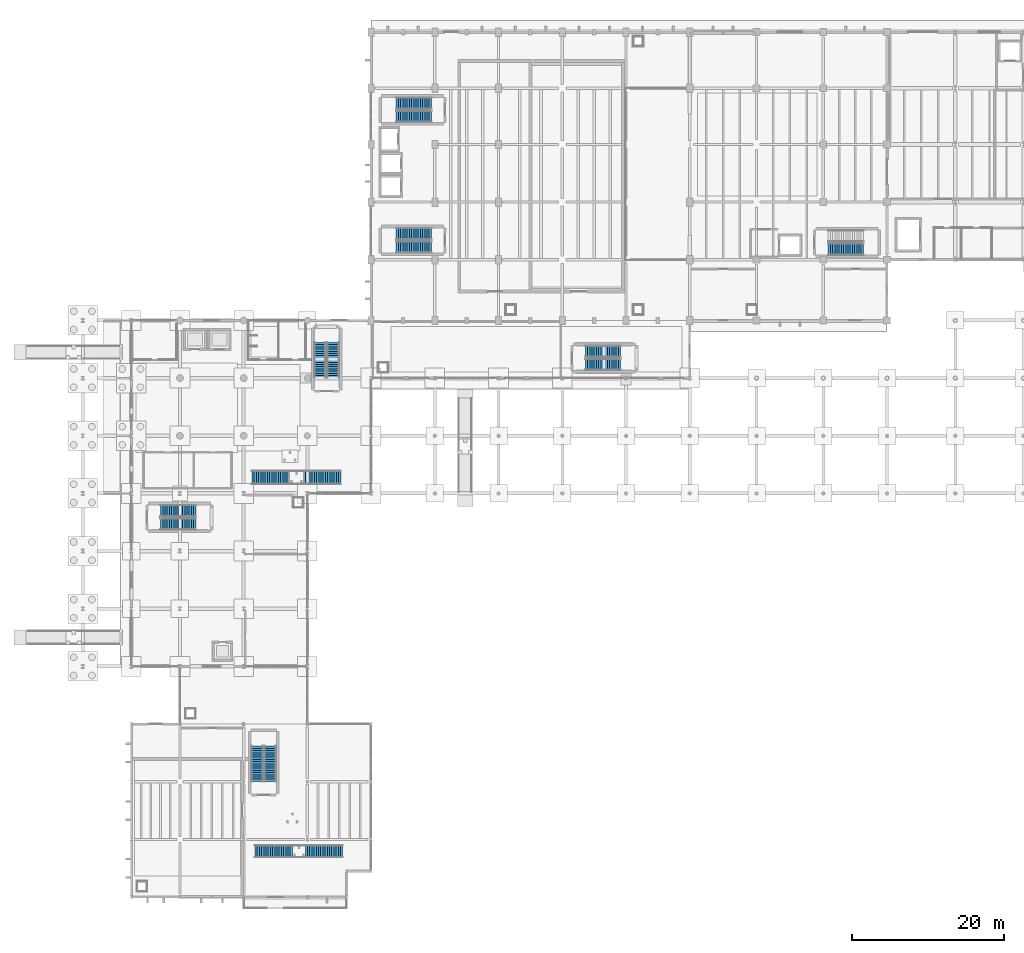
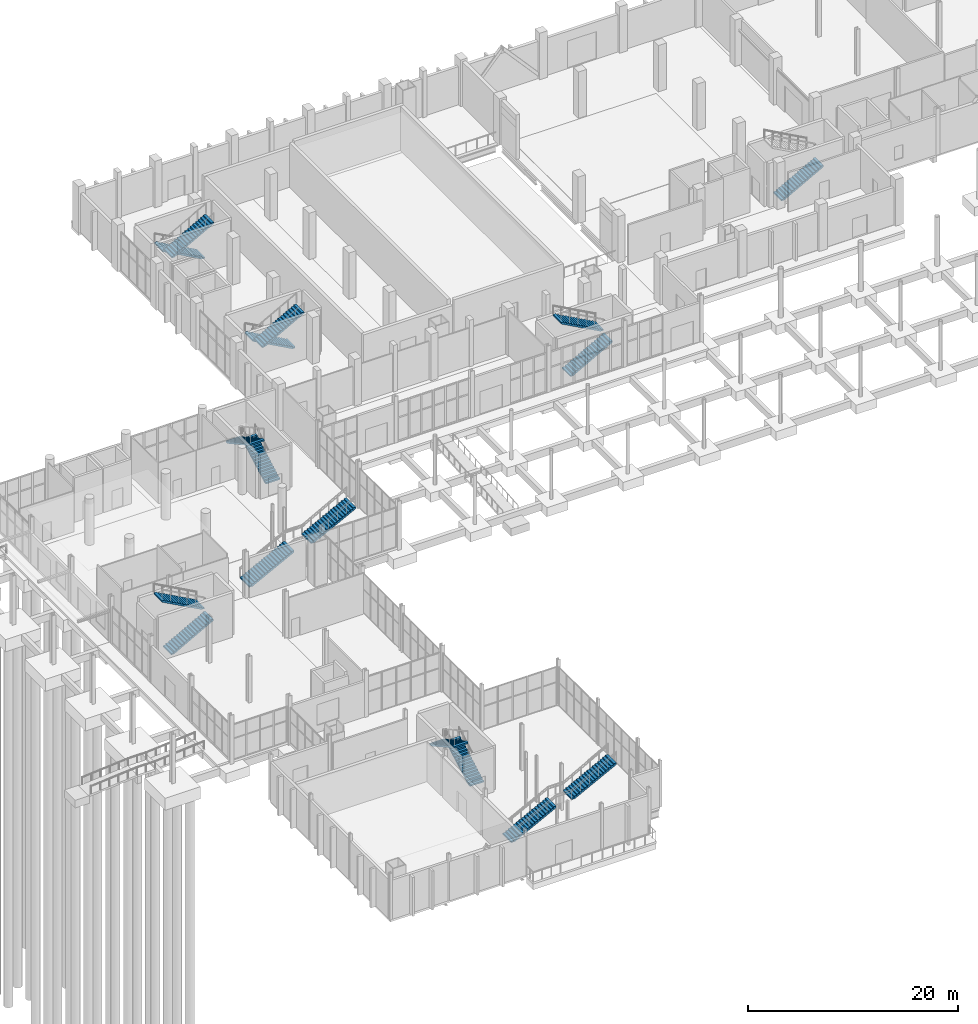
# One storey, part 81 of 95: 17 stair flights, 9 elements without a shape of their own.
"""IFC4 building model written with IfcOpenShell, lengths in metres."""

from ifc_helpers import new_model, si_unit, direction, frame, origin, place, context, subcontext, project, spatial, polyline, outline, extrude, material, layer, layer_set, type_object, element, aggregate, save


model = new_model("IFC4")

# Units and contexts
model_context = context("Model", 3, precision=1e-05, world=origin(), true_north=direction((0.0, 1.0)))
body_context = subcontext(model_context, "Body", "Model", "MODEL_VIEW")
ifc_project = project(units=[si_unit("LENGTHUNIT", "METRE"), si_unit("AREAUNIT", "SQUARE_METRE"), si_unit("VOLUMEUNIT", "CUBIC_METRE"), si_unit("PLANEANGLEUNIT", "RADIAN"), si_unit("MASSUNIT", "GRAM", prefix="KILO")], contexts=[model_context])

# Site, building, storey
site_placement = place(None, origin())
site = spatial("IfcSite", under=ifc_project, at=site_placement, CompositionType="ELEMENT")
building_placement = place(site_placement, origin())
building = spatial("IfcBuilding", under=site, at=building_placement, Name="Shengluoqiao Park Theatre", CompositionType="ELEMENT")
storey_placement = place(building_placement, origin())
storey = spatial("IfcBuildingStorey", under=building, at=storey_placement, Name="L00", CompositionType="ELEMENT", Elevation=0.0)

# Stair, stair flights
ifc_material_1 = material(Name="Concrete C40", Category="concrete")
stair_type_1 = type_object("IfcStairType", Name="INT-STR-CORE", PredefinedType="HALF_TURN_STAIR", material=ifc_material_1)
stair_1_placement = place(storey_placement, origin())
stair_1 = element("IfcStair", 1, at=stair_1_placement, inside=storey, type_object=stair_type_1, Name="L00 West Foyer Escape Stair 01", PredefinedType="HALF_TURN_STAIR")
ifc_layer_1 = layer(ifc_material_1, 0.159912109375, Name="Concrete C40")
ifc_layer_set_1 = layer_set([ifc_layer_1], Name="Concrete C40")
stair_flight_type_1 = type_object("IfcStairFlightType", Name="INT-SFL-156", PredefinedType="STRAIGHT", material=ifc_layer_set_1)
stair_flight_1_placement = place(storey_placement, frame((39.419921875, 68.449951171875, 0.0), z_axis=(0.0, 0.0, 1.0), x_axis=(0.0, 1.0, 0.0)))
stair_flight_1 = element("IfcStairFlight", 2, at=stair_flight_1_placement, type_object=stair_flight_type_1, Name="ST-01 flight 1", NumberOfRisers=17, NumberOfTreads=16, PredefinedType="STRAIGHT", RiserHeight=0.158823529, TreadLength=0.29, context=body_context, shape_type="SweptSolid", body=[
    extrude(outline(polyline([(0.0, 0.0), (0.0, 0.158935546875), (0.2900390625, 0.158935546875), (0.2900390625, 0.317626953125), (0.580078125, 0.317626953125), (0.580078125, 0.4765625), (0.8701171875, 0.4765625), (0.8701171875, 0.63525390625), (1.159912109375, 0.63525390625), (1.159912109375, 0.794189453125), (1.449951171875, 0.794189453125), (1.449951171875, 0.952880859375), (1.739990234375, 0.952880859375), (1.739990234375, 1.11181640625), (2.030029296875, 1.11181640625), (2.030029296875, 1.2705078125), (2.320068359375, 1.2705078125), (2.320068359375, 1.429443359375), (2.610107421875, 1.429443359375), (2.610107421875, 1.588134765625), (2.89990234375, 1.588134765625), (2.89990234375, 1.7470703125), (3.18994140625, 1.7470703125), (3.18994140625, 1.90576171875), (3.47998046875, 1.90576171875), (3.47998046875, 2.064697265625), (3.77001953125, 2.064697265625), (3.77001953125, 2.2236328125), (4.06005859375, 2.2236328125), (4.06005859375, 2.38232421875), (4.35009765625, 2.38232421875), (4.35009765625, 2.541259765625), (4.639892578125, 2.541259765625), (4.639892578125, 2.699951171875), (4.639892578125, 2.370361328125), (0.31201171875, 0.0), (0.0, 0.0)])), frame((0.0, 0.780029296875, 0.0), z_axis=(0.0, -1.0, 0.0), x_axis=(1.0, 0.0, 0.0)), (0.0, 0.0, 1.0), 1.56005859375),
])
stair_flight_2_placement = place(storey_placement, frame((37.679931640625, 73.090087890625, 2.699951171875), z_axis=(0.0, 0.0, 1.0), x_axis=(0.0, -1.0, 0.0)))
stair_flight_2 = element("IfcStairFlight", 3, at=stair_flight_2_placement, type_object=stair_flight_type_1, Name="ST-01 flight 2", NumberOfRisers=17, NumberOfTreads=16, PredefinedType="STRAIGHT", RiserHeight=0.158823529, TreadLength=0.29, context=body_context, shape_type="SweptSolid", body=[
    extrude(outline(polyline([(0.0, 0.0), (0.0, 0.158935546875), (0.2900390625, 0.158935546875), (0.2900390625, 0.317626953125), (0.580078125, 0.317626953125), (0.580078125, 0.4765625), (0.8701171875, 0.4765625), (0.8701171875, 0.63525390625), (1.159912109375, 0.63525390625), (1.159912109375, 0.794189453125), (1.449951171875, 0.794189453125), (1.449951171875, 0.952880859375), (1.739990234375, 0.952880859375), (1.739990234375, 1.11181640625), (2.030029296875, 1.11181640625), (2.030029296875, 1.2705078125), (2.320068359375, 1.2705078125), (2.320068359375, 1.429443359375), (2.610107421875, 1.429443359375), (2.610107421875, 1.588134765625), (2.89990234375, 1.588134765625), (2.89990234375, 1.7470703125), (3.18994140625, 1.7470703125), (3.18994140625, 1.90576171875), (3.47998046875, 1.90576171875), (3.47998046875, 2.064697265625), (3.77001953125, 2.064697265625), (3.77001953125, 2.2236328125), (4.06005859375, 2.2236328125), (4.06005859375, 2.38232421875), (4.35009765625, 2.38232421875), (4.35009765625, 2.541259765625), (4.639892578125, 2.541259765625), (4.639892578125, 2.699951171875), (4.639892578125, 2.370361328125), (0.31201171875, 0.0), (0.0, 0.0)])), frame((0.0, 0.780029296875, 0.0), z_axis=(0.0, -1.0, 0.0), x_axis=(1.0, 0.0, 0.0)), (0.0, 0.0, 1.0), 1.56005859375),
])
aggregate(stair_1, [stair_flight_1, stair_flight_2])

stair_2_placement = place(storey_placement, origin())
stair_2 = element("IfcStair", 4, at=stair_2_placement, inside=storey, type_object=stair_type_1, Name="L00 Auditorium South-West Escape Stair 02", PredefinedType="HALF_TURN_STAIR")
stair_flight_3_placement = place(storey_placement, frame((52.35009765625, 87.419921875, 0.0), z_axis=(0.0, 0.0, 1.0), x_axis=(-1.0, 0.0, 0.0)))
stair_flight_3 = element("IfcStairFlight", 5, at=stair_flight_3_placement, type_object=stair_flight_type_1, Name="ST-02 flight 1", NumberOfRisers=17, NumberOfTreads=16, PredefinedType="STRAIGHT", RiserHeight=0.158823529, TreadLength=0.29, context=body_context, shape_type="SweptSolid", body=[
    extrude(outline(polyline([(0.0, 0.0), (0.0, 0.158935546875), (0.2900390625, 0.158935546875), (0.2900390625, 0.317626953125), (0.580078125, 0.317626953125), (0.580078125, 0.4765625), (0.8701171875, 0.4765625), (0.8701171875, 0.63525390625), (1.159912109375, 0.63525390625), (1.159912109375, 0.794189453125), (1.449951171875, 0.794189453125), (1.449951171875, 0.952880859375), (1.739990234375, 0.952880859375), (1.739990234375, 1.11181640625), (2.030029296875, 1.11181640625), (2.030029296875, 1.2705078125), (2.320068359375, 1.2705078125), (2.320068359375, 1.429443359375), (2.610107421875, 1.429443359375), (2.610107421875, 1.588134765625), (2.89990234375, 1.588134765625), (2.89990234375, 1.7470703125), (3.18994140625, 1.7470703125), (3.18994140625, 1.90576171875), (3.47998046875, 1.90576171875), (3.47998046875, 2.064697265625), (3.77001953125, 2.064697265625), (3.77001953125, 2.2236328125), (4.06005859375, 2.2236328125), (4.06005859375, 2.38232421875), (4.35009765625, 2.38232421875), (4.35009765625, 2.541259765625), (4.639892578125, 2.541259765625), (4.639892578125, 2.699951171875), (4.639892578125, 2.370361328125), (0.31201171875, 0.0), (0.0, 0.0)])), frame((0.0, 0.780029296875, 0.0), z_axis=(0.0, -1.0, 0.0), x_axis=(1.0, 0.0, 0.0)), (0.0, 0.0, 1.0), 1.56005859375),
])
stair_flight_4_placement = place(storey_placement, frame((47.7099609375, 85.679931640625, 2.699951171875), z_axis=(0.0, 0.0, 1.0), x_axis=(1.0, 0.0, 0.0)))
stair_flight_4 = element("IfcStairFlight", 6, at=stair_flight_4_placement, type_object=stair_flight_type_1, Name="ST-02 flight 2", NumberOfRisers=17, NumberOfTreads=16, PredefinedType="STRAIGHT", RiserHeight=0.158823529, TreadLength=0.29, context=body_context, shape_type="SweptSolid", body=[
    extrude(outline(polyline([(0.0, 0.0), (0.0, 0.158935546875), (0.2900390625, 0.158935546875), (0.2900390625, 0.317626953125), (0.580078125, 0.317626953125), (0.580078125, 0.4765625), (0.8701171875, 0.4765625), (0.8701171875, 0.63525390625), (1.159912109375, 0.63525390625), (1.159912109375, 0.794189453125), (1.449951171875, 0.794189453125), (1.449951171875, 0.952880859375), (1.739990234375, 0.952880859375), (1.739990234375, 1.11181640625), (2.030029296875, 1.11181640625), (2.030029296875, 1.2705078125), (2.320068359375, 1.2705078125), (2.320068359375, 1.429443359375), (2.610107421875, 1.429443359375), (2.610107421875, 1.588134765625), (2.89990234375, 1.588134765625), (2.89990234375, 1.7470703125), (3.18994140625, 1.7470703125), (3.18994140625, 1.90576171875), (3.47998046875, 1.90576171875), (3.47998046875, 2.064697265625), (3.77001953125, 2.064697265625), (3.77001953125, 2.2236328125), (4.06005859375, 2.2236328125), (4.06005859375, 2.38232421875), (4.35009765625, 2.38232421875), (4.35009765625, 2.541259765625), (4.639892578125, 2.541259765625), (4.639892578125, 2.699951171875), (4.639892578125, 2.370361328125), (0.31201171875, 0.0), (0.0, 0.0)])), frame((0.0, 0.780029296875, 0.0), z_axis=(0.0, -1.0, 0.0), x_axis=(1.0, 0.0, 0.0)), (0.0, 0.0, 1.0), 1.56005859375),
])
aggregate(stair_2, [stair_flight_3, stair_flight_4])

stair_3_placement = place(storey_placement, origin())
stair_3 = element("IfcStair", 7, at=stair_3_placement, inside=storey, type_object=stair_type_1, Name="L00 Auditorium North-West Escape Stair 03", PredefinedType="HALF_TURN_STAIR")
stair_flight_5_placement = place(storey_placement, frame((52.35009765625, 104.6201171875, 0.0), z_axis=(0.0, 0.0, 1.0), x_axis=(-1.0, 0.0, 0.0)))
stair_flight_5 = element("IfcStairFlight", 8, at=stair_flight_5_placement, type_object=stair_flight_type_1, Name="ST-03 flight 1", NumberOfRisers=17, NumberOfTreads=16, PredefinedType="STRAIGHT", RiserHeight=0.158823529, TreadLength=0.29, context=body_context, shape_type="SweptSolid", body=[
    extrude(outline(polyline([(0.0, 0.0), (0.0, 0.158935546875), (0.2900390625, 0.158935546875), (0.2900390625, 0.317626953125), (0.580078125, 0.317626953125), (0.580078125, 0.4765625), (0.8701171875, 0.4765625), (0.8701171875, 0.63525390625), (1.159912109375, 0.63525390625), (1.159912109375, 0.794189453125), (1.449951171875, 0.794189453125), (1.449951171875, 0.952880859375), (1.739990234375, 0.952880859375), (1.739990234375, 1.11181640625), (2.030029296875, 1.11181640625), (2.030029296875, 1.2705078125), (2.320068359375, 1.2705078125), (2.320068359375, 1.429443359375), (2.610107421875, 1.429443359375), (2.610107421875, 1.588134765625), (2.89990234375, 1.588134765625), (2.89990234375, 1.7470703125), (3.18994140625, 1.7470703125), (3.18994140625, 1.90576171875), (3.47998046875, 1.90576171875), (3.47998046875, 2.064697265625), (3.77001953125, 2.064697265625), (3.77001953125, 2.2236328125), (4.06005859375, 2.2236328125), (4.06005859375, 2.38232421875), (4.35009765625, 2.38232421875), (4.35009765625, 2.541259765625), (4.639892578125, 2.541259765625), (4.639892578125, 2.699951171875), (4.639892578125, 2.370361328125), (0.31201171875, 0.0), (0.0, 0.0)])), frame((0.0, 0.780029296875, 0.0), z_axis=(0.0, -1.0, 0.0), x_axis=(1.0, 0.0, 0.0)), (0.0, 0.0, 1.0), 1.56005859375),
])
stair_flight_6_placement = place(storey_placement, frame((47.7099609375, 102.8798828125, 2.699951171875), z_axis=(0.0, 0.0, 1.0), x_axis=(1.0, 0.0, 0.0)))
stair_flight_6 = element("IfcStairFlight", 9, at=stair_flight_6_placement, type_object=stair_flight_type_1, Name="ST-03 flight 2", NumberOfRisers=17, NumberOfTreads=16, PredefinedType="STRAIGHT", RiserHeight=0.158823529, TreadLength=0.29, context=body_context, shape_type="SweptSolid", body=[
    extrude(outline(polyline([(0.0, 0.0), (0.0, 0.158935546875), (0.2900390625, 0.158935546875), (0.2900390625, 0.317626953125), (0.580078125, 0.317626953125), (0.580078125, 0.4765625), (0.8701171875, 0.4765625), (0.8701171875, 0.63525390625), (1.159912109375, 0.63525390625), (1.159912109375, 0.794189453125), (1.449951171875, 0.794189453125), (1.449951171875, 0.952880859375), (1.739990234375, 0.952880859375), (1.739990234375, 1.11181640625), (2.030029296875, 1.11181640625), (2.030029296875, 1.2705078125), (2.320068359375, 1.2705078125), (2.320068359375, 1.429443359375), (2.610107421875, 1.429443359375), (2.610107421875, 1.588134765625), (2.89990234375, 1.588134765625), (2.89990234375, 1.7470703125), (3.18994140625, 1.7470703125), (3.18994140625, 1.90576171875), (3.47998046875, 1.90576171875), (3.47998046875, 2.064697265625), (3.77001953125, 2.064697265625), (3.77001953125, 2.2236328125), (4.06005859375, 2.2236328125), (4.06005859375, 2.38232421875), (4.35009765625, 2.38232421875), (4.35009765625, 2.541259765625), (4.639892578125, 2.541259765625), (4.639892578125, 2.699951171875), (4.639892578125, 2.370361328125), (0.31201171875, 0.0), (0.0, 0.0)])), frame((0.0, 0.780029296875, 0.0), z_axis=(0.0, -1.0, 0.0), x_axis=(1.0, 0.0, 0.0)), (0.0, 0.0, 1.0), 1.56005859375),
])
aggregate(stair_3, [stair_flight_5, stair_flight_6])

stair_4_placement = place(storey_placement, origin())
stair_4 = element("IfcStair", 10, at=stair_4_placement, inside=storey, type_object=stair_type_1, Name="L00 Studio and Black-Box Escape Stair 04", PredefinedType="HALF_TURN_STAIR")
stair_flight_7_placement = place(storey_placement, frame((31.1201171875, 15.25, 0.0), z_axis=(0.0, 0.0, 1.0), x_axis=(0.0, 1.0, 0.0)))
stair_flight_7 = element("IfcStairFlight", 11, at=stair_flight_7_placement, type_object=stair_flight_type_1, Name="ST-04 flight 1", NumberOfRisers=17, NumberOfTreads=16, PredefinedType="STRAIGHT", RiserHeight=0.158823529, TreadLength=0.29, context=body_context, shape_type="SweptSolid", body=[
    extrude(outline(polyline([(0.0, 0.0), (0.0, 0.158935546875), (0.2900390625, 0.158935546875), (0.2900390625, 0.317626953125), (0.580078125, 0.317626953125), (0.580078125, 0.4765625), (0.8701171875, 0.4765625), (0.8701171875, 0.63525390625), (1.159912109375, 0.63525390625), (1.159912109375, 0.794189453125), (1.449951171875, 0.794189453125), (1.449951171875, 0.952880859375), (1.739990234375, 0.952880859375), (1.739990234375, 1.11181640625), (2.030029296875, 1.11181640625), (2.030029296875, 1.2705078125), (2.320068359375, 1.2705078125), (2.320068359375, 1.429443359375), (2.610107421875, 1.429443359375), (2.610107421875, 1.588134765625), (2.89990234375, 1.588134765625), (2.89990234375, 1.7470703125), (3.18994140625, 1.7470703125), (3.18994140625, 1.90576171875), (3.47998046875, 1.90576171875), (3.47998046875, 2.064697265625), (3.77001953125, 2.064697265625), (3.77001953125, 2.2236328125), (4.06005859375, 2.2236328125), (4.06005859375, 2.38232421875), (4.35009765625, 2.38232421875), (4.35009765625, 2.541259765625), (4.639892578125, 2.541259765625), (4.639892578125, 2.699951171875), (4.639892578125, 2.370361328125), (0.31201171875, 0.0), (0.0, 0.0)])), frame((0.0, 0.780029296875, 0.0), z_axis=(0.0, -1.0, 0.0), x_axis=(1.0, 0.0, 0.0)), (0.0, 0.0, 1.0), 1.56005859375),
])
stair_flight_8_placement = place(storey_placement, frame((29.3798828125, 19.889892578125, 2.699951171875), z_axis=(0.0, 0.0, 1.0), x_axis=(0.0, -1.0, 0.0)))
stair_flight_8 = element("IfcStairFlight", 12, at=stair_flight_8_placement, type_object=stair_flight_type_1, Name="ST-04 flight 2", NumberOfRisers=17, NumberOfTreads=16, PredefinedType="STRAIGHT", RiserHeight=0.158823529, TreadLength=0.29, context=body_context, shape_type="SweptSolid", body=[
    extrude(outline(polyline([(0.0, 0.0), (0.0, 0.158935546875), (0.2900390625, 0.158935546875), (0.2900390625, 0.317626953125), (0.580078125, 0.317626953125), (0.580078125, 0.4765625), (0.8701171875, 0.4765625), (0.8701171875, 0.63525390625), (1.159912109375, 0.63525390625), (1.159912109375, 0.794189453125), (1.449951171875, 0.794189453125), (1.449951171875, 0.952880859375), (1.739990234375, 0.952880859375), (1.739990234375, 1.11181640625), (2.030029296875, 1.11181640625), (2.030029296875, 1.2705078125), (2.320068359375, 1.2705078125), (2.320068359375, 1.429443359375), (2.610107421875, 1.429443359375), (2.610107421875, 1.588134765625), (2.89990234375, 1.588134765625), (2.89990234375, 1.7470703125), (3.18994140625, 1.7470703125), (3.18994140625, 1.90576171875), (3.47998046875, 1.90576171875), (3.47998046875, 2.064697265625), (3.77001953125, 2.064697265625), (3.77001953125, 2.2236328125), (4.06005859375, 2.2236328125), (4.06005859375, 2.38232421875), (4.35009765625, 2.38232421875), (4.35009765625, 2.541259765625), (4.639892578125, 2.541259765625), (4.639892578125, 2.699951171875), (4.639892578125, 2.370361328125), (0.31201171875, 0.0), (0.0, 0.0)])), frame((0.0, 0.780029296875, 0.0), z_axis=(0.0, -1.0, 0.0), x_axis=(1.0, 0.0, 0.0)), (0.0, 0.0, 1.0), 1.56005859375),
])
aggregate(stair_4, [stair_flight_7, stair_flight_8])

# Stair, stair flight
stair_5_placement = place(storey_placement, origin())
stair_5 = element("IfcStair", 13, at=stair_5_placement, inside=storey, type_object=stair_type_1, Name="L00 Stage and Fly Tower Escape Stair 05", PredefinedType="HALF_TURN_STAIR")
stair_flight_9_placement = place(storey_placement, frame((104.64990234375, 85.3798828125, 0.0), z_axis=(0.0, 0.0, 1.0), x_axis=(1.0, 0.0, 0.0)))
stair_flight_9 = element("IfcStairFlight", 14, at=stair_flight_9_placement, type_object=stair_flight_type_1, Name="ST-05 flight 1", NumberOfRisers=17, NumberOfTreads=16, PredefinedType="STRAIGHT", RiserHeight=0.158823529, TreadLength=0.29, context=body_context, shape_type="SweptSolid", body=[
    extrude(outline(polyline([(0.0, 0.0), (0.0, 0.158935546875), (0.2900390625, 0.158935546875), (0.2900390625, 0.317626953125), (0.580078125, 0.317626953125), (0.580078125, 0.4765625), (0.8701171875, 0.4765625), (0.8701171875, 0.63525390625), (1.159912109375, 0.63525390625), (1.159912109375, 0.794189453125), (1.449951171875, 0.794189453125), (1.449951171875, 0.952880859375), (1.739990234375, 0.952880859375), (1.739990234375, 1.11181640625), (2.030029296875, 1.11181640625), (2.030029296875, 1.2705078125), (2.320068359375, 1.2705078125), (2.320068359375, 1.429443359375), (2.610107421875, 1.429443359375), (2.610107421875, 1.588134765625), (2.89990234375, 1.588134765625), (2.89990234375, 1.7470703125), (3.18994140625, 1.7470703125), (3.18994140625, 1.90576171875), (3.47998046875, 1.90576171875), (3.47998046875, 2.064697265625), (3.77001953125, 2.064697265625), (3.77001953125, 2.2236328125), (4.06005859375, 2.2236328125), (4.06005859375, 2.38232421875), (4.35009765625, 2.38232421875), (4.35009765625, 2.541259765625), (4.639892578125, 2.541259765625), (4.639892578125, 2.699951171875), (4.639892578125, 2.370361328125), (0.31201171875, 0.0), (0.0, 0.0)])), frame((0.0, 0.780029296875, 0.0), z_axis=(0.0, -1.0, 0.0), x_axis=(1.0, 0.0, 0.0)), (0.0, 0.0, 1.0), 1.56005859375),
])
aggregate(stair_5, [stair_flight_9])

# Stair, stair flights
stair_6_placement = place(storey_placement, origin())
stair_6 = element("IfcStair", 15, at=stair_6_placement, inside=storey, type_object=stair_type_1, Name="L00 South Promenade Escape Stair 11", PredefinedType="HALF_TURN_STAIR")
stair_flight_10_placement = place(storey_placement, frame((72.64990234375, 70.179931640625, 0.0), z_axis=(0.0, 0.0, 1.0), x_axis=(1.0, 0.0, 0.0)))
stair_flight_10 = element("IfcStairFlight", 16, at=stair_flight_10_placement, type_object=stair_flight_type_1, Name="ST-11 flight 1", NumberOfRisers=17, NumberOfTreads=16, PredefinedType="STRAIGHT", RiserHeight=0.158823529, TreadLength=0.29, context=body_context, shape_type="SweptSolid", body=[
    extrude(outline(polyline([(0.0, 0.0), (0.0, 0.158935546875), (0.2900390625, 0.158935546875), (0.2900390625, 0.317626953125), (0.580078125, 0.317626953125), (0.580078125, 0.4765625), (0.8701171875, 0.4765625), (0.8701171875, 0.63525390625), (1.159912109375, 0.63525390625), (1.159912109375, 0.794189453125), (1.449951171875, 0.794189453125), (1.449951171875, 0.952880859375), (1.739990234375, 0.952880859375), (1.739990234375, 1.11181640625), (2.030029296875, 1.11181640625), (2.030029296875, 1.2705078125), (2.320068359375, 1.2705078125), (2.320068359375, 1.429443359375), (2.610107421875, 1.429443359375), (2.610107421875, 1.588134765625), (2.89990234375, 1.588134765625), (2.89990234375, 1.7470703125), (3.18994140625, 1.7470703125), (3.18994140625, 1.90576171875), (3.47998046875, 1.90576171875), (3.47998046875, 2.064697265625), (3.77001953125, 2.064697265625), (3.77001953125, 2.2236328125), (4.06005859375, 2.2236328125), (4.06005859375, 2.38232421875), (4.35009765625, 2.38232421875), (4.35009765625, 2.541259765625), (4.639892578125, 2.541259765625), (4.639892578125, 2.699951171875), (4.639892578125, 2.370361328125), (0.31201171875, 0.0), (0.0, 0.0)])), frame((0.0, 0.780029296875, 0.0), z_axis=(0.0, -1.0, 0.0), x_axis=(1.0, 0.0, 0.0)), (0.0, 0.0, 1.0), 1.56005859375),
])
stair_flight_11_placement = place(storey_placement, frame((77.2900390625, 71.919921875, 2.699951171875), z_axis=(0.0, 0.0, 1.0), x_axis=(-1.0, 0.0, 0.0)))
stair_flight_11 = element("IfcStairFlight", 17, at=stair_flight_11_placement, type_object=stair_flight_type_1, Name="ST-11 flight 2", NumberOfRisers=17, NumberOfTreads=16, PredefinedType="STRAIGHT", RiserHeight=0.158823529, TreadLength=0.29, context=body_context, shape_type="SweptSolid", body=[
    extrude(outline(polyline([(0.0, 0.0), (0.0, 0.158935546875), (0.2900390625, 0.158935546875), (0.2900390625, 0.317626953125), (0.580078125, 0.317626953125), (0.580078125, 0.4765625), (0.8701171875, 0.4765625), (0.8701171875, 0.63525390625), (1.159912109375, 0.63525390625), (1.159912109375, 0.794189453125), (1.449951171875, 0.794189453125), (1.449951171875, 0.952880859375), (1.739990234375, 0.952880859375), (1.739990234375, 1.11181640625), (2.030029296875, 1.11181640625), (2.030029296875, 1.2705078125), (2.320068359375, 1.2705078125), (2.320068359375, 1.429443359375), (2.610107421875, 1.429443359375), (2.610107421875, 1.588134765625), (2.89990234375, 1.588134765625), (2.89990234375, 1.7470703125), (3.18994140625, 1.7470703125), (3.18994140625, 1.90576171875), (3.47998046875, 1.90576171875), (3.47998046875, 2.064697265625), (3.77001953125, 2.064697265625), (3.77001953125, 2.2236328125), (4.06005859375, 2.2236328125), (4.06005859375, 2.38232421875), (4.35009765625, 2.38232421875), (4.35009765625, 2.541259765625), (4.639892578125, 2.541259765625), (4.639892578125, 2.699951171875), (4.639892578125, 2.370361328125), (0.31201171875, 0.0), (0.0, 0.0)])), frame((0.0, 0.780029296875, 0.0), z_axis=(0.0, -1.0, 0.0), x_axis=(1.0, 0.0, 0.0)), (0.0, 0.0, 1.0), 1.56005859375),
])
aggregate(stair_6, [stair_flight_10, stair_flight_11])

stair_7_placement = place(storey_placement, origin())
stair_7 = element("IfcStair", 18, at=stair_7_placement, inside=storey, type_object=stair_type_1, Name="L00 Studio Crystal North Escape Stair 13", PredefinedType="HALF_TURN_STAIR")
stair_flight_12_placement = place(storey_placement, frame((16.64990234375, 49.179931640625, 0.0), z_axis=(0.0, 0.0, 1.0), x_axis=(1.0, 0.0, 0.0)))
stair_flight_12 = element("IfcStairFlight", 19, at=stair_flight_12_placement, type_object=stair_flight_type_1, Name="ST-13 flight 1", NumberOfRisers=17, NumberOfTreads=16, PredefinedType="STRAIGHT", RiserHeight=0.158823529, TreadLength=0.29, context=body_context, shape_type="SweptSolid", body=[
    extrude(outline(polyline([(0.0, 0.0), (0.0, 0.158935546875), (0.2900390625, 0.158935546875), (0.2900390625, 0.317626953125), (0.580078125, 0.317626953125), (0.580078125, 0.4765625), (0.8701171875, 0.4765625), (0.8701171875, 0.63525390625), (1.159912109375, 0.63525390625), (1.159912109375, 0.794189453125), (1.449951171875, 0.794189453125), (1.449951171875, 0.952880859375), (1.739990234375, 0.952880859375), (1.739990234375, 1.11181640625), (2.030029296875, 1.11181640625), (2.030029296875, 1.2705078125), (2.320068359375, 1.2705078125), (2.320068359375, 1.429443359375), (2.610107421875, 1.429443359375), (2.610107421875, 1.588134765625), (2.89990234375, 1.588134765625), (2.89990234375, 1.7470703125), (3.18994140625, 1.7470703125), (3.18994140625, 1.90576171875), (3.47998046875, 1.90576171875), (3.47998046875, 2.064697265625), (3.77001953125, 2.064697265625), (3.77001953125, 2.2236328125), (4.06005859375, 2.2236328125), (4.06005859375, 2.38232421875), (4.35009765625, 2.38232421875), (4.35009765625, 2.541259765625), (4.639892578125, 2.541259765625), (4.639892578125, 2.699951171875), (4.639892578125, 2.370361328125), (0.31201171875, 0.0), (0.0, 0.0)])), frame((0.0, 0.780029296875, 0.0), z_axis=(0.0, -1.0, 0.0), x_axis=(1.0, 0.0, 0.0)), (0.0, 0.0, 1.0), 1.56005859375),
])
stair_flight_13_placement = place(storey_placement, frame((21.2900390625, 50.919921875, 2.699951171875), z_axis=(0.0, 0.0, 1.0), x_axis=(-1.0, 0.0, 0.0)))
stair_flight_13 = element("IfcStairFlight", 20, at=stair_flight_13_placement, type_object=stair_flight_type_1, Name="ST-13 flight 2", NumberOfRisers=17, NumberOfTreads=16, PredefinedType="STRAIGHT", RiserHeight=0.158823529, TreadLength=0.29, context=body_context, shape_type="SweptSolid", body=[
    extrude(outline(polyline([(0.0, 0.0), (0.0, 0.158935546875), (0.2900390625, 0.158935546875), (0.2900390625, 0.317626953125), (0.580078125, 0.317626953125), (0.580078125, 0.4765625), (0.8701171875, 0.4765625), (0.8701171875, 0.63525390625), (1.159912109375, 0.63525390625), (1.159912109375, 0.794189453125), (1.449951171875, 0.794189453125), (1.449951171875, 0.952880859375), (1.739990234375, 0.952880859375), (1.739990234375, 1.11181640625), (2.030029296875, 1.11181640625), (2.030029296875, 1.2705078125), (2.320068359375, 1.2705078125), (2.320068359375, 1.429443359375), (2.610107421875, 1.429443359375), (2.610107421875, 1.588134765625), (2.89990234375, 1.588134765625), (2.89990234375, 1.7470703125), (3.18994140625, 1.7470703125), (3.18994140625, 1.90576171875), (3.47998046875, 1.90576171875), (3.47998046875, 2.064697265625), (3.77001953125, 2.064697265625), (3.77001953125, 2.2236328125), (4.06005859375, 2.2236328125), (4.06005859375, 2.38232421875), (4.35009765625, 2.38232421875), (4.35009765625, 2.541259765625), (4.639892578125, 2.541259765625), (4.639892578125, 2.699951171875), (4.639892578125, 2.370361328125), (0.31201171875, 0.0), (0.0, 0.0)])), frame((0.0, 0.780029296875, 0.0), z_axis=(0.0, -1.0, 0.0), x_axis=(1.0, 0.0, 0.0)), (0.0, 0.0, 1.0), 1.56005859375),
])
aggregate(stair_7, [stair_flight_12, stair_flight_13])

ifc_material_2 = material(Name="Steel Q355", Category="steel")
stair_type_2 = type_object("IfcStairType", Name="INT-STR-ST-F165", PredefinedType="STRAIGHT_RUN_STAIR", material=ifc_material_2)
stair_8_placement = place(storey_placement, origin())
stair_8 = element("IfcStair", 21, at=stair_8_placement, inside=storey, type_object=stair_type_2, Name="Park-Court Gallery Stair 08", PredefinedType="STRAIGHT_RUN_STAIR")
ifc_layer_2 = layer(ifc_material_2, 0.169921875, Name="Steel Q355")
ifc_layer_set_2 = layer_set([ifc_layer_2], Name="Steel Q355")
stair_flight_type_2 = type_object("IfcStairFlightType", Name="INT-SFL-165", PredefinedType="STRAIGHT", material=ifc_layer_set_2)
stair_flight_14_placement = place(storey_placement, frame((29.10009765625, 6.02490234375, 0.0), z_axis=(0.0, 0.0, 1.0), x_axis=(1.0, 0.0, 0.0)))
stair_flight_14 = element("IfcStairFlight", 22, at=stair_flight_14_placement, type_object=stair_flight_type_2, Name="ST-08 flight 1", NumberOfRisers=18, NumberOfTreads=17, PredefinedType="STRAIGHT", RiserHeight=0.15, TreadLength=0.29, context=body_context, shape_type="SweptSolid", body=[
    extrude(outline(polyline([(0.0, 0.0), (0.0, 0.14990234375), (0.2900390625, 0.14990234375), (0.2900390625, 0.300048828125), (0.580078125, 0.300048828125), (0.580078125, 0.449951171875), (0.8701171875, 0.449951171875), (0.8701171875, 0.60009765625), (1.159912109375, 0.60009765625), (1.159912109375, 0.75), (1.449951171875, 0.75), (1.449951171875, 0.89990234375), (1.739990234375, 0.89990234375), (1.739990234375, 1.050048828125), (2.030029296875, 1.050048828125), (2.030029296875, 1.199951171875), (2.320068359375, 1.199951171875), (2.320068359375, 1.35009765625), (2.610107421875, 1.35009765625), (2.610107421875, 1.5), (2.89990234375, 1.5), (2.89990234375, 1.64990234375), (3.18994140625, 1.64990234375), (3.18994140625, 1.800048828125), (3.47998046875, 1.800048828125), (3.47998046875, 1.949951171875), (3.77001953125, 1.949951171875), (3.77001953125, 2.10009765625), (4.06005859375, 2.10009765625), (4.06005859375, 2.25), (4.35009765625, 2.25), (4.35009765625, 2.39990234375), (4.639892578125, 2.39990234375), (4.639892578125, 2.550048828125), (4.929931640625, 2.550048828125), (4.929931640625, 2.699951171875), (4.929931640625, 2.358642578125), (0.369873046875, 0.0), (0.0, 0.0)])), frame((0.0, 0.824951171875, 0.0), z_axis=(0.0, -1.0, 0.0), x_axis=(1.0, 0.0, 0.0)), (0.0, 0.0, 1.0), 1.64990234375),
])
stair_flight_15_placement = place(storey_placement, frame((35.72998046875, 6.02490234375, 2.699951171875), z_axis=(0.0, 0.0, 1.0), x_axis=(1.0, 0.0, 0.0)))
stair_flight_15 = element("IfcStairFlight", 23, at=stair_flight_15_placement, type_object=stair_flight_type_2, Name="ST-08 flight 2", NumberOfRisers=18, NumberOfTreads=17, PredefinedType="STRAIGHT", RiserHeight=0.15, TreadLength=0.29, context=body_context, shape_type="SweptSolid", body=[
    extrude(outline(polyline([(0.0, 0.0), (0.0, 0.14990234375), (0.2900390625, 0.14990234375), (0.2900390625, 0.300048828125), (0.580078125, 0.300048828125), (0.580078125, 0.449951171875), (0.8701171875, 0.449951171875), (0.8701171875, 0.60009765625), (1.159912109375, 0.60009765625), (1.159912109375, 0.75), (1.449951171875, 0.75), (1.449951171875, 0.89990234375), (1.739990234375, 0.89990234375), (1.739990234375, 1.050048828125), (2.030029296875, 1.050048828125), (2.030029296875, 1.199951171875), (2.320068359375, 1.199951171875), (2.320068359375, 1.35009765625), (2.610107421875, 1.35009765625), (2.610107421875, 1.5), (2.89990234375, 1.5), (2.89990234375, 1.64990234375), (3.18994140625, 1.64990234375), (3.18994140625, 1.800048828125), (3.47998046875, 1.800048828125), (3.47998046875, 1.949951171875), (3.77001953125, 1.949951171875), (3.77001953125, 2.10009765625), (4.06005859375, 2.10009765625), (4.06005859375, 2.25), (4.35009765625, 2.25), (4.35009765625, 2.39990234375), (4.639892578125, 2.39990234375), (4.639892578125, 2.550048828125), (4.929931640625, 2.550048828125), (4.929931640625, 2.699951171875), (4.929931640625, 2.358642578125), (0.369873046875, 0.0), (0.0, 0.0)])), frame((0.0, 0.824951171875, 0.0), z_axis=(0.0, -1.0, 0.0), x_axis=(1.0, 0.0, 0.0)), (0.0, 0.0, 1.0), 1.64990234375),
])
aggregate(stair_8, [stair_flight_14, stair_flight_15])

stair_type_3 = type_object("IfcStairType", Name="INT-STR-ST-F180", PredefinedType="STRAIGHT_RUN_STAIR", material=ifc_material_2)
stair_9_placement = place(storey_placement, origin())
stair_9 = element("IfcStair", 24, at=stair_9_placement, inside=storey, type_object=stair_type_3, Name="Main Foyer Feature Stair 07", PredefinedType="STRAIGHT_RUN_STAIR")
ifc_layer_3 = layer(ifc_material_2, 0.179931640625, Name="Steel Q355")
ifc_layer_set_3 = layer_set([ifc_layer_3], Name="Steel Q355")
stair_flight_type_3 = type_object("IfcStairFlightType", Name="INT-SFL-180", PredefinedType="STRAIGHT", material=ifc_layer_set_3)
stair_flight_16_placement = place(storey_placement, frame((28.699951171875, 55.300048828125, 0.0), z_axis=(0.0, 0.0, 1.0), x_axis=(1.0, 0.0, 0.0)))
stair_flight_16 = element("IfcStairFlight", 25, at=stair_flight_16_placement, type_object=stair_flight_type_3, Name="ST-07 flight 1", NumberOfRisers=18, NumberOfTreads=17, PredefinedType="STRAIGHT", RiserHeight=0.15, TreadLength=0.29, context=body_context, shape_type="SweptSolid", body=[
    extrude(outline(polyline([(0.0, 0.0), (0.0, 0.14990234375), (0.2900390625, 0.14990234375), (0.2900390625, 0.300048828125), (0.580078125, 0.300048828125), (0.580078125, 0.449951171875), (0.8701171875, 0.449951171875), (0.8701171875, 0.60009765625), (1.159912109375, 0.60009765625), (1.159912109375, 0.75), (1.449951171875, 0.75), (1.449951171875, 0.89990234375), (1.739990234375, 0.89990234375), (1.739990234375, 1.050048828125), (2.030029296875, 1.050048828125), (2.030029296875, 1.199951171875), (2.320068359375, 1.199951171875), (2.320068359375, 1.35009765625), (2.610107421875, 1.35009765625), (2.610107421875, 1.5), (2.89990234375, 1.5), (2.89990234375, 1.64990234375), (3.18994140625, 1.64990234375), (3.18994140625, 1.800048828125), (3.47998046875, 1.800048828125), (3.47998046875, 1.949951171875), (3.77001953125, 1.949951171875), (3.77001953125, 2.10009765625), (4.06005859375, 2.10009765625), (4.06005859375, 2.25), (4.35009765625, 2.25), (4.35009765625, 2.39990234375), (4.639892578125, 2.39990234375), (4.639892578125, 2.550048828125), (4.929931640625, 2.550048828125), (4.929931640625, 2.699951171875), (4.929931640625, 2.358642578125), (0.369873046875, 0.0), (0.0, 0.0)])), frame((0.0, 0.89990234375, 0.0), z_axis=(0.0, -1.0, 0.0), x_axis=(1.0, 0.0, 0.0)), (0.0, 0.0, 1.0), 1.800048828125),
])
stair_flight_17_placement = place(storey_placement, frame((35.47998046875, 55.300048828125, 2.699951171875), z_axis=(0.0, 0.0, 1.0), x_axis=(1.0, 0.0, 0.0)))
stair_flight_17 = element("IfcStairFlight", 26, at=stair_flight_17_placement, type_object=stair_flight_type_3, Name="ST-07 flight 2", NumberOfRisers=18, NumberOfTreads=17, PredefinedType="STRAIGHT", RiserHeight=0.15, TreadLength=0.29, context=body_context, shape_type="SweptSolid", body=[
    extrude(outline(polyline([(0.0, 0.0), (0.0, 0.14990234375), (0.2900390625, 0.14990234375), (0.2900390625, 0.300048828125), (0.580078125, 0.300048828125), (0.580078125, 0.449951171875), (0.8701171875, 0.449951171875), (0.8701171875, 0.60009765625), (1.159912109375, 0.60009765625), (1.159912109375, 0.75), (1.449951171875, 0.75), (1.449951171875, 0.89990234375), (1.739990234375, 0.89990234375), (1.739990234375, 1.050048828125), (2.030029296875, 1.050048828125), (2.030029296875, 1.199951171875), (2.320068359375, 1.199951171875), (2.320068359375, 1.35009765625), (2.610107421875, 1.35009765625), (2.610107421875, 1.5), (2.89990234375, 1.5), (2.89990234375, 1.64990234375), (3.18994140625, 1.64990234375), (3.18994140625, 1.800048828125), (3.47998046875, 1.800048828125), (3.47998046875, 1.949951171875), (3.77001953125, 1.949951171875), (3.77001953125, 2.10009765625), (4.06005859375, 2.10009765625), (4.06005859375, 2.25), (4.35009765625, 2.25), (4.35009765625, 2.39990234375), (4.639892578125, 2.39990234375), (4.639892578125, 2.550048828125), (4.929931640625, 2.550048828125), (4.929931640625, 2.699951171875), (4.929931640625, 2.358642578125), (0.369873046875, 0.0), (0.0, 0.0)])), frame((0.0, 0.89990234375, 0.0), z_axis=(0.0, -1.0, 0.0), x_axis=(1.0, 0.0, 0.0)), (0.0, 0.0, 1.0), 1.800048828125),
])
aggregate(stair_9, [stair_flight_16, stair_flight_17])

save(model, "model.ifc")
